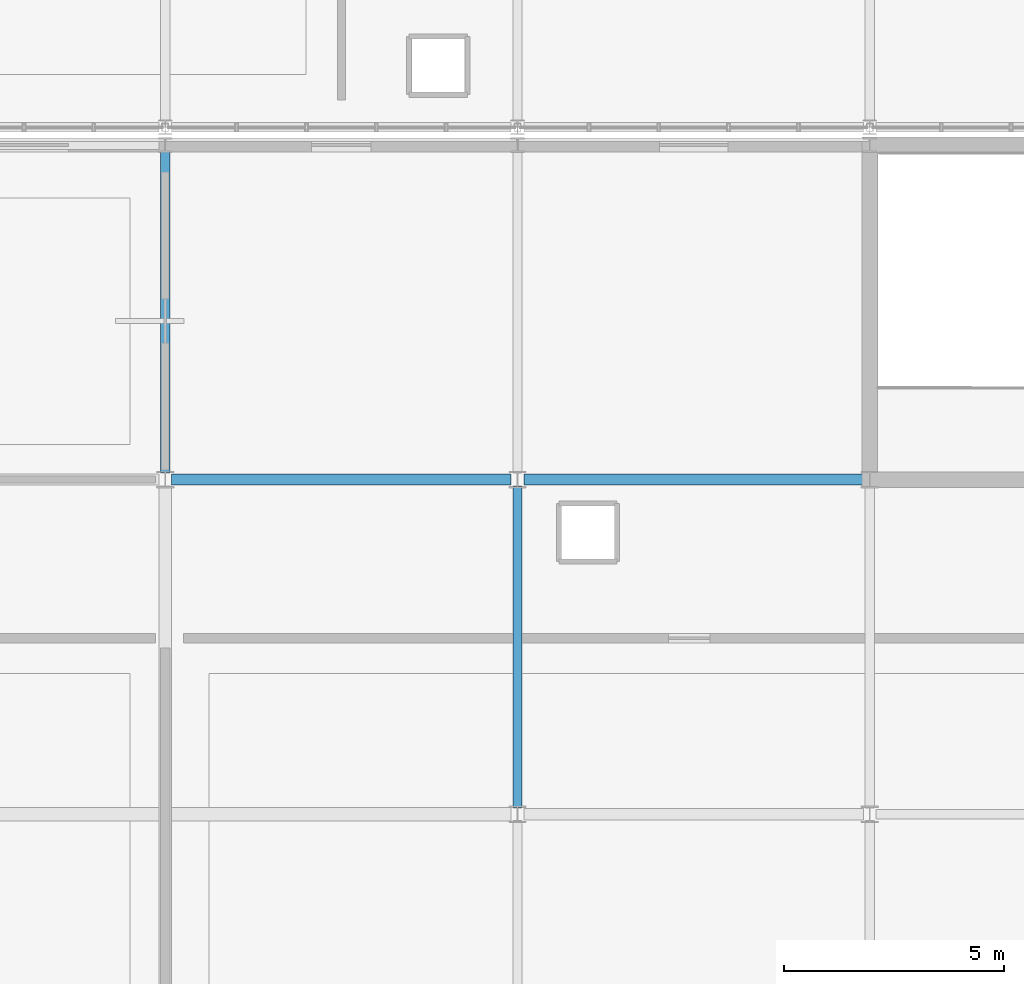
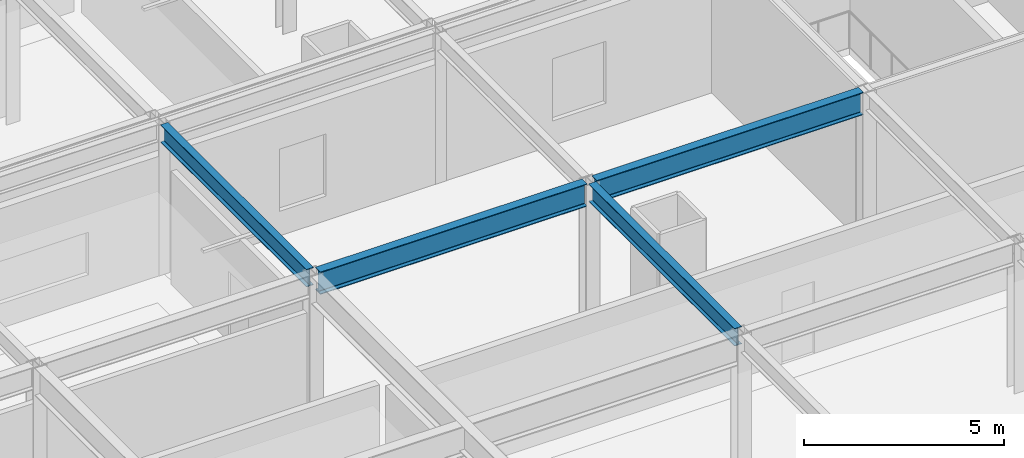
# One storey, part 63 of 104: 4 beams.
"""IFC4 building model written with IfcOpenShell, lengths in metres."""

from ifc_helpers import new_model, si_unit, direction, frame, origin, origin_2d, place, context, subcontext, project, spatial, i_section, extrude, material, material_profile, profile_set, type_object, element, save


model = new_model("IFC4")

# Units and contexts
model_context = context("Model", 3, precision=1e-05, world=origin(), true_north=direction((0.0, 1.0)))
body_context = subcontext(model_context, "Body", "Model", "MODEL_VIEW")
ifc_project = project(units=[si_unit("LENGTHUNIT", "METRE"), si_unit("AREAUNIT", "SQUARE_METRE"), si_unit("VOLUMEUNIT", "CUBIC_METRE"), si_unit("PLANEANGLEUNIT", "RADIAN"), si_unit("MASSUNIT", "GRAM", prefix="KILO")], contexts=[model_context])

# Site, building, storey
site_placement = place(None, origin())
site = spatial("IfcSite", under=ifc_project, at=site_placement, CompositionType="ELEMENT")
building_placement = place(site_placement, origin())
building = spatial("IfcBuilding", under=site, at=building_placement, Name="Zulena Civic Courthouse", CompositionType="ELEMENT")
storey_placement = place(building_placement, frame((0.0, 0.0, 15.60009765625)))
storey = spatial("IfcBuildingStorey", under=building, at=storey_placement, Name="L03", CompositionType="ELEMENT", Elevation=15.60009765625)

# Beams
ifc_material = material(Name="Steel ASTM A992 Grade 50", Category="steel")
ifc_material_profile_1 = material_profile(ifc_material, i_section(OverallWidth=0.2099609375, OverallDepth=0.537109375, WebThickness=0.010986328125, FlangeThickness=0.017333984375, FilletRadius=0.0126953125, at=origin_2d()), Name="W21X68")
ifc_profile_set_1 = profile_set([ifc_material_profile_1], Name="Steel ASTM A992 Grade 50")
beam_type_1 = type_object("IfcBeamType", Name="Girder_W21X68", PredefinedType="BEAM", material=ifc_profile_set_1)
beam_1_placement = place(storey_placement, frame((156.0, 15.344970703125, 4.326416015625), z_axis=(0.0, 1.0, 0.0), x_axis=(-1.0, 0.0, 0.0)))
element("IfcBeam", 1, at=beam_1_placement, inside=storey, type_object=beam_type_1, Name="beam:Y:V1:L03:156.0:15.2_22.8", PredefinedType="BEAM", context=body_context, shape_type="SweptSolid", body=[
    extrude(i_section(OverallWidth=0.2099609375, OverallDepth=0.537109375, WebThickness=0.010986328125, FlangeThickness=0.017333984375, FilletRadius=0.0126953125, at=origin_2d()), origin(), (0.0, 0.0, 1.0), 7.31005859375),
])
ifc_material_profile_2 = material_profile(ifc_material, i_section(OverallWidth=0.25390625, OverallDepth=0.68798828125, WebThickness=0.01318359375, FlangeThickness=0.02099609375, FilletRadius=0.0166015625, at=origin_2d()), Name="W27X102")
ifc_profile_set_2 = profile_set([ifc_material_profile_2], Name="Steel ASTM A992 Grade 50")
beam_type_2 = type_object("IfcBeamType", Name="Girder_W27X102", PredefinedType="BEAM", material=ifc_profile_set_2)
for number, where, z_axis, x_axis, name in (
    (2, (148.14501953125, 22.800048828125, 4.2509765625), (1.0, 0.0, 0.0), (0.0, 1.0, 0.0), "beam:X:V1:L03:22.8:148.0_156.0"),
    (3, (156.14501953125, 22.800048828125, 4.2509765625), (1.0, 0.0, 0.0), (0.0, 1.0, 0.0), "beam:X:V1:L03:22.8:156.0_164.0"),
):
    element("IfcBeam", number, at=place(storey_placement, frame(where, z_axis=z_axis, x_axis=x_axis)), inside=storey, type_object=beam_type_2, Name=name, PredefinedType="BEAM", context=body_context, shape_type="SweptSolid", body=[
        extrude(i_section(OverallWidth=0.25390625, OverallDepth=0.68798828125, WebThickness=0.01318359375, FlangeThickness=0.02099609375, FilletRadius=0.0166015625, at=origin_2d()), origin(), (0.0, 0.0, 1.0), 7.7099609375),
    ])
ifc_material_profile_3 = material_profile(ifc_material, i_section(OverallWidth=0.2099609375, OverallDepth=0.537109375, WebThickness=0.010986328125, FlangeThickness=0.017333984375, FilletRadius=0.0126953125, at=origin_2d()), Name="W21X68")
ifc_profile_set_3 = profile_set([ifc_material_profile_3], Name="Steel ASTM A992 Grade 50")
beam_type_3 = type_object("IfcBeamType", Name="Spandrel_W21X68", PredefinedType="SPANDREL", material=ifc_profile_set_3)
beam_2_placement = place(storey_placement, frame((148.0, 22.945068359375, 4.326416015625), z_axis=(0.0, 1.0, 0.0), x_axis=(-1.0, 0.0, 0.0)))
element("IfcBeam", 4, at=beam_2_placement, inside=storey, type_object=beam_type_3, Name="beam:Y:V1:L03:148.0:22.8_30.4", PredefinedType="SPANDREL", context=body_context, shape_type="SweptSolid", body=[
    extrude(i_section(OverallWidth=0.2099609375, OverallDepth=0.537109375, WebThickness=0.010986328125, FlangeThickness=0.017333984375, FilletRadius=0.0126953125, at=origin_2d()), origin(), (0.0, 0.0, 1.0), 7.309814453125),
])

save(model, "model.ifc")
